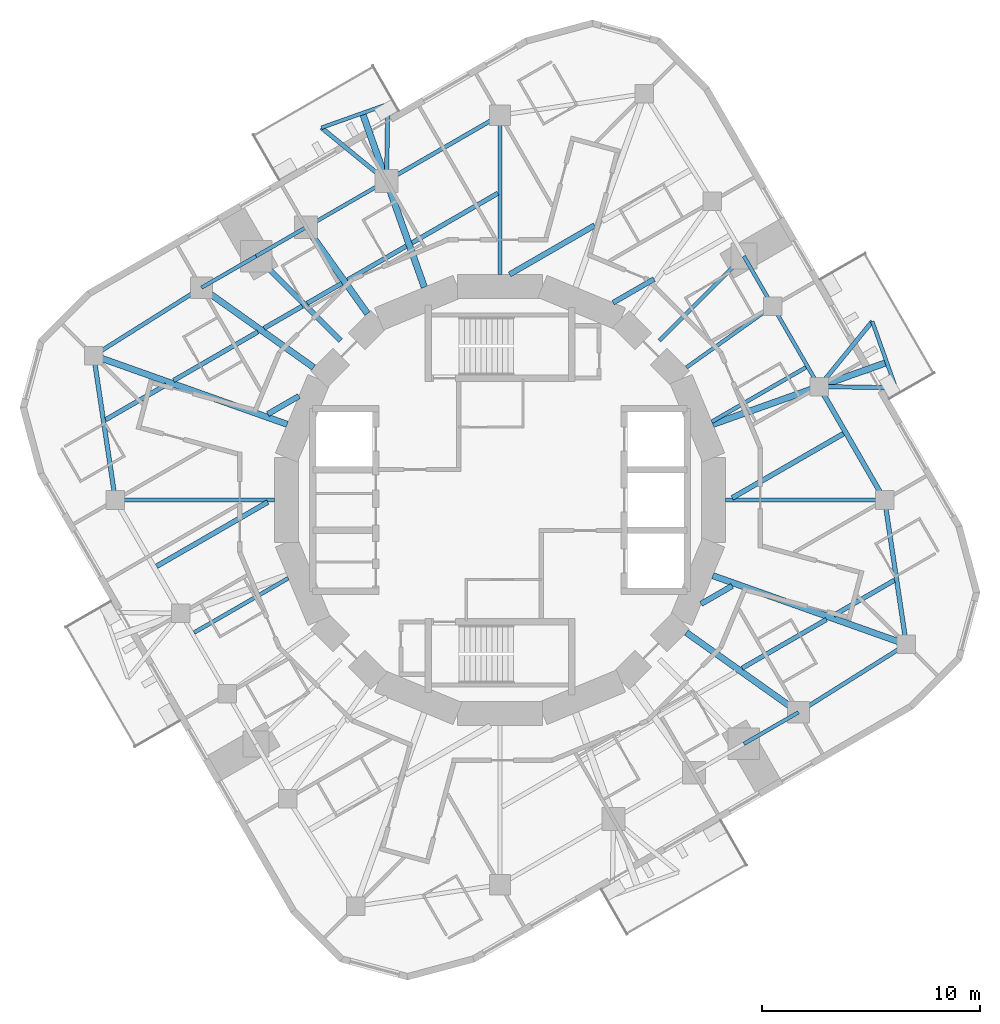
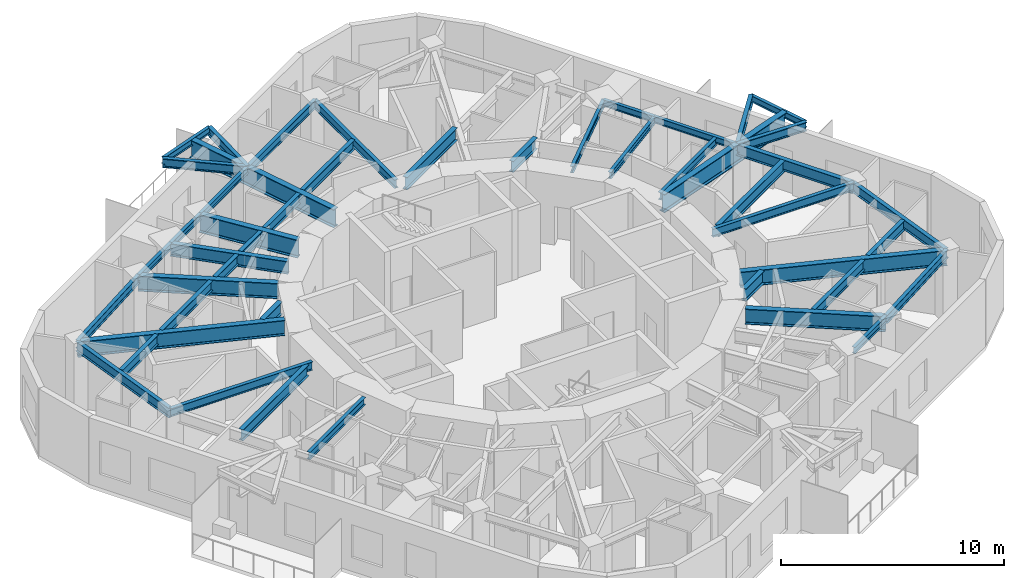
# One storey, part 2 of 11: 47 beams.
"""IFC4 building model written with IfcOpenShell, lengths in metres."""

from ifc_helpers import new_model, si_unit, direction, frame, origin, origin_2d, place, context, subcontext, project, spatial, i_section, extrude, material, material_profile, profile_set, type_object, element, save


model = new_model("IFC4")

# Units and contexts
model_context = context("Model", 3, precision=1e-05, world=origin(), true_north=direction((0.0, 1.0)))
body_context = subcontext(model_context, "Body", "Model", "MODEL_VIEW")
ifc_project = project(units=[si_unit("LENGTHUNIT", "METRE"), si_unit("AREAUNIT", "SQUARE_METRE"), si_unit("VOLUMEUNIT", "CUBIC_METRE"), si_unit("PLANEANGLEUNIT", "RADIAN"), si_unit("MASSUNIT", "GRAM", prefix="KILO")], contexts=[model_context])

# Site, building, storey
site_placement = place(None, origin())
site = spatial("IfcSite", under=ifc_project, at=site_placement, CompositionType="ELEMENT")
building_placement = place(site_placement, origin())
building = spatial("IfcBuilding", under=site, at=building_placement, Name="Nakasero Lantern House", CompositionType="ELEMENT")
storey_placement = place(building_placement, frame((0.0, 0.0, 250.050048828125)))
storey = spatial("IfcBuildingStorey", under=building, at=storey_placement, Name="L61", CompositionType="ELEMENT", Elevation=250.050048828125)

# Beams
ifc_material_1 = material(Name="Steel S355", Category="steel")
ifc_material_profile_1 = material_profile(ifc_material_1, i_section(OverallWidth=0.199462890625, OverallDepth=0.491943359375, WebThickness=0.01806640625, FlangeThickness=0.031982421875, FilletRadius=0.01025390625, at=origin_2d()), Name="UB 457x191x161")
ifc_profile_set_1 = profile_set([ifc_material_profile_1], Name="Steel S355")
beam_type_1 = type_object("IfcBeamType", Name="Balcony splay beam UB 457x191x161", PredefinedType="BEAM", material=ifc_profile_set_1)
beam_1_placement = place(storey_placement, frame((14.657958984375, 5.211669921875, 3.404052734375), z_axis=(0.632127727159, 0.774864205236, 0.0), x_axis=(-0.774864205236, 0.632127727159, 0.0)))
element("IfcBeam", 1, at=beam_1_placement, inside=storey, type_object=beam_type_1, Name="Balcony splay beam L62 B6-C04A", PredefinedType="BEAM", context=body_context, shape_type="SweptSolid", body=[
    extrude(i_section(OverallWidth=0.199462890625, OverallDepth=0.491943359375, WebThickness=0.01806640625, FlangeThickness=0.031982421875, FilletRadius=0.01025390625, at=origin_2d()), origin(), (0.0, 0.0, 1.0), 3.858642578125),
])
beam_2_placement = place(storey_placement, frame((14.657958984375, 5.211669921875, 3.404052734375), z_axis=(0.99985827803, -0.016835196893, 0.0), x_axis=(0.016835196893, 0.99985827803, 0.0)))
element("IfcBeam", 2, at=beam_2_placement, inside=storey, type_object=beam_type_1, Name="Balcony splay beam L62 B6-C04B", PredefinedType="BEAM", context=body_context, shape_type="SweptSolid", body=[
    extrude(i_section(OverallWidth=0.199462890625, OverallDepth=0.491943359375, WebThickness=0.01806640625, FlangeThickness=0.031982421875, FilletRadius=0.01025390625, at=origin_2d()), origin(), (0.0, 0.0, 1.0), 3.52392578125),
])
beam_3_placement = place(storey_placement, frame((-5.211669921875, 14.657958984375, 3.404052734375), z_axis=(-0.774864205236, 0.632127727159, 0.0), x_axis=(-0.632127727159, -0.774864205236, 0.0)))
element("IfcBeam", 3, at=beam_3_placement, inside=storey, type_object=beam_type_1, Name="Balcony splay beam L62 B6-C10A", PredefinedType="BEAM", context=body_context, shape_type="SweptSolid", body=[
    extrude(i_section(OverallWidth=0.199462890625, OverallDepth=0.491943359375, WebThickness=0.01806640625, FlangeThickness=0.031982421875, FilletRadius=0.01025390625, at=origin_2d()), origin(), (0.0, 0.0, 1.0), 3.858642578125),
])
beam_4_placement = place(storey_placement, frame((-5.211669921875, 14.657958984375, 3.404052734375), z_axis=(0.016835196893, 0.99985827803, 0.0), x_axis=(-0.99985827803, 0.016835196893, 0.0)))
element("IfcBeam", 4, at=beam_4_placement, inside=storey, type_object=beam_type_1, Name="Balcony splay beam L62 B6-C10B", PredefinedType="BEAM", context=body_context, shape_type="SweptSolid", body=[
    extrude(i_section(OverallWidth=0.199462890625, OverallDepth=0.491943359375, WebThickness=0.01806640625, FlangeThickness=0.031982421875, FilletRadius=0.01025390625, at=origin_2d()), origin(), (0.0, 0.0, 1.0), 3.52392578125),
])
ifc_material_2 = material(Name="Steel S355", Category="steel")
ifc_material_profile_2 = material_profile(ifc_material_2, i_section(OverallWidth=0.17138671875, OverallDepth=0.35498046875, WebThickness=0.00732421875, FlangeThickness=0.011474609375, FilletRadius=0.01025390625, at=origin_2d()), Name="UB 356x171x51")
ifc_profile_set_2 = profile_set([ifc_material_profile_2], Name="Steel S355")
beam_type_2 = type_object("IfcBeamType", Name="Balcony tie beam UB 356x171x51", PredefinedType="BEAM", material=ifc_profile_set_2)
for number, where, z_axis, x_axis, name in (
    (5, (17.09716796875, 8.20166015625, 3.472412109375), (0.335017108852, -0.942212044487, 0.0), (0.942212044487, 0.335017108852, 0.0), "Balcony tie beam L62 B6-C04"),
    (6, (-8.20166015625, 17.09716796875, 3.472412109375), (0.942212044487, 0.335017108852, 0.0), (-0.335017108852, 0.942212044487, 0.0), "Balcony tie beam L62 B6-C10"),
):
    element("IfcBeam", number, at=place(storey_placement, frame(where, z_axis=z_axis, x_axis=x_axis)), inside=storey, type_object=beam_type_2, Name=name, PredefinedType="BEAM", context=body_context, shape_type="SweptSolid", body=[
        extrude(i_section(OverallWidth=0.17138671875, OverallDepth=0.35498046875, WebThickness=0.00732421875, FlangeThickness=0.011474609375, FilletRadius=0.01025390625, at=origin_2d()), origin(), (0.0, 0.0, 1.0), 3.236328125),
    ])
ifc_material_3 = material(Name="Steel S355", Category="steel")
ifc_material_profile_3 = material_profile(ifc_material_3, i_section(OverallWidth=0.177978515625, OverallDepth=0.406494140625, WebThickness=0.0078125, FlangeThickness=0.0126953125, FilletRadius=0.01025390625, at=origin_2d()), Name="UB 406x178x60")
ifc_profile_set_3 = profile_set([ifc_material_profile_3], Name="Steel S355")
beam_type_3 = type_object("IfcBeamType", Name="Infill beam UB 406x178x60", PredefinedType="JOIST", material=ifc_profile_set_3)
for number, where, z_axis, x_axis, name in (
    (7, (9.72314453125, 3.5927734375, 3.44677734375), (0.866018808352, 0.500011423449, 0.0), (-0.500011423449, 0.866018808352, 0.0), "Infill beam L62 06.1"),
    (8, (-14.051025390625, -6.091552734375, 3.44677734375), (0.866018808352, 0.500011423449, 0.0), (-0.500011423449, 0.866018808352, 0.0), "Infill beam L62 07.1"),
):
    element("IfcBeam", number, at=place(storey_placement, frame(where, z_axis=z_axis, x_axis=x_axis)), inside=storey, type_object=beam_type_3, Name=name, PredefinedType="JOIST", context=body_context, shape_type="SweptSolid", body=[
        extrude(i_section(OverallWidth=0.177978515625, OverallDepth=0.406494140625, WebThickness=0.0078125, FlangeThickness=0.0126953125, FilletRadius=0.01025390625, at=origin_2d()), origin(), (0.0, 0.0, 1.0), 4.99755859375),
    ])
ifc_material_4 = material(Name="Steel S355", Category="steel")
ifc_material_profile_4 = material_profile(ifc_material_4, i_section(OverallWidth=0.2099609375, OverallDepth=0.53662109375, WebThickness=0.0107421875, FlangeThickness=0.017333984375, FilletRadius=0.0126953125, at=origin_2d()), Name="UB 533x210x101")
ifc_profile_set_4 = profile_set([ifc_material_profile_4], Name="Steel S355")
beam_type_4 = type_object("IfcBeamType", Name="Infill beam UB 533x210x101", PredefinedType="JOIST", material=ifc_profile_set_4)
beam_5_placement = place(storey_placement, frame((11.117431640625, -7.726318359375, 3.381591796875), z_axis=(0.866033989219, 0.499985129296, 0.0), x_axis=(-0.499985129296, 0.866033989219, 0.0)))
element("IfcBeam", 9, at=beam_5_placement, inside=storey, type_object=beam_type_4, Name="Infill beam L62 03.5", PredefinedType="JOIST", context=body_context, shape_type="SweptSolid", body=[
    extrude(i_section(OverallWidth=0.2099609375, OverallDepth=0.53662109375, WebThickness=0.0107421875, FlangeThickness=0.017333984375, FilletRadius=0.0126953125, at=origin_2d()), origin(), (0.0, 0.0, 1.0), 4.478759765625),
])
for number, where, z_axis, x_axis, name in (
    (10, (15.32861328125, -5.294921875, 3.381591796875), (0.866033858845, 0.49998535512, 0.0), (-0.49998535512, 0.866033858845, 0.0), "Infill beam L62 03.6"),
    (11, (-18.11328125, 3.687255859375, 3.381591796875), (0.866033858845, 0.49998535512, 0.0), (-0.49998535512, 0.866033858845, 0.0), "Infill beam L62 10.1"),
):
    element("IfcBeam", number, at=place(storey_placement, frame(where, z_axis=z_axis, x_axis=x_axis)), inside=storey, type_object=beam_type_4, Name=name, PredefinedType="JOIST", context=body_context, shape_type="SweptSolid", body=[
        extrude(i_section(OverallWidth=0.2099609375, OverallDepth=0.53662109375, WebThickness=0.0107421875, FlangeThickness=0.017333984375, FilletRadius=0.0126953125, at=origin_2d()), origin(), (0.0, 0.0, 1.0), 3.21533203125),
    ])
beam_6_placement = place(storey_placement, frame((-14.99609375, 5.487060546875, 3.381591796875), z_axis=(0.866033989219, 0.499985129296, 0.0), x_axis=(-0.499985129296, 0.866033989219, 0.0)))
element("IfcBeam", 12, at=beam_6_placement, inside=storey, type_object=beam_type_4, Name="Infill beam L62 10.2", PredefinedType="JOIST", context=body_context, shape_type="SweptSolid", body=[
    extrude(i_section(OverallWidth=0.2099609375, OverallDepth=0.53662109375, WebThickness=0.0107421875, FlangeThickness=0.017333984375, FilletRadius=0.0126953125, at=origin_2d()), origin(), (0.0, 0.0, 1.0), 4.478759765625),
])
beam_7_placement = place(storey_placement, frame((-10.839111328125, 7.88720703125, 3.381591796875), z_axis=(0.866057323903, 0.499944708657, 0.0), x_axis=(-0.499944708657, 0.866057323903, 0.0)))
element("IfcBeam", 13, at=beam_7_placement, inside=storey, type_object=beam_type_4, Name="Infill beam L62 10.3", PredefinedType="JOIST", context=body_context, shape_type="SweptSolid", body=[
    extrude(i_section(OverallWidth=0.2099609375, OverallDepth=0.53662109375, WebThickness=0.0107421875, FlangeThickness=0.017333984375, FilletRadius=0.0126953125, at=origin_2d()), origin(), (0.0, 0.0, 1.0), 2.028564453125),
])
beam_8_placement = place(storey_placement, frame((-8.85302734375, 9.033935546875, 3.381591796875), z_axis=(0.866068339032, 0.499925626596, 0.0), x_axis=(-0.499925626596, 0.866068339032, 0.0)))
element("IfcBeam", 14, at=beam_8_placement, inside=storey, type_object=beam_type_4, Name="Infill beam L62 10.4", PredefinedType="JOIST", context=body_context, shape_type="SweptSolid", body=[
    extrude(i_section(OverallWidth=0.2099609375, OverallDepth=0.53662109375, WebThickness=0.0107421875, FlangeThickness=0.017333984375, FilletRadius=0.0126953125, at=origin_2d()), origin(), (0.0, 0.0, 1.0), 1.837646484375),
])
beam_9_placement = place(storey_placement, frame((-7.00048828125, 10.103271484375, 3.381591796875), z_axis=(0.866009247561, 0.500027982357, 0.0), x_axis=(-0.500027982357, 0.866009247561, 0.0)))
element("IfcBeam", 15, at=beam_9_placement, inside=storey, type_object=beam_type_4, Name="Infill beam L62 10.5", PredefinedType="JOIST", context=body_context, shape_type="SweptSolid", body=[
    extrude(i_section(OverallWidth=0.2099609375, OverallDepth=0.53662109375, WebThickness=0.0107421875, FlangeThickness=0.017333984375, FilletRadius=0.0126953125, at=origin_2d()), origin(), (0.0, 0.0, 1.0), 3.112548828125),
])
beam_10_placement = place(storey_placement, frame((-4.040771484375, 11.812255859375, 3.381591796875), z_axis=(0.866034756103, 0.499983800959, 0.0), x_axis=(-0.499983800959, 0.866034756103, 0.0)))
element("IfcBeam", 16, at=beam_10_placement, inside=storey, type_object=beam_type_4, Name="Infill beam L62 10.6", PredefinedType="JOIST", context=body_context, shape_type="SweptSolid", body=[
    extrude(i_section(OverallWidth=0.2099609375, OverallDepth=0.53662109375, WebThickness=0.0107421875, FlangeThickness=0.017333984375, FilletRadius=0.0126953125, at=origin_2d()), origin(), (0.0, 0.0, 1.0), 4.555419921875),
])
ifc_material_5 = material(Name="Steel S355", Category="steel")
ifc_material_profile_5 = material_profile(ifc_material_5, i_section(OverallWidth=0.22900390625, OverallDepth=0.6123046875, WebThickness=0.011962890625, FlangeThickness=0.01953125, FilletRadius=0.0126953125, at=origin_2d()), Name="UB 610x229x125")
ifc_profile_set_5 = profile_set([ifc_material_profile_5], Name="Steel S355")
beam_type_5 = type_object("IfcBeamType", Name="Infill beam UB 610x229x125", PredefinedType="JOIST", material=ifc_profile_set_5)
for number, where, z_axis, x_axis, name in (
    (17, (10.66455078125, 0.094970703125, 3.34375), (0.866025091885, 0.500000540226, 0.0), (-0.500000540226, 0.866025091885, 0.0), "Infill beam L62 05.3"),
    (18, (-15.776123046875, -3.046142578125, 3.34375), (0.866025091885, 0.500000540226, 0.0), (-0.500000540226, 0.866025091885, 0.0), "Infill beam L62 08.1"),
):
    element("IfcBeam", number, at=place(storey_placement, frame(where, z_axis=z_axis, x_axis=x_axis)), inside=storey, type_object=beam_type_5, Name=name, PredefinedType="JOIST", context=body_context, shape_type="SweptSolid", body=[
        extrude(i_section(OverallWidth=0.22900390625, OverallDepth=0.6123046875, WebThickness=0.011962890625, FlangeThickness=0.01953125, FilletRadius=0.0126953125, at=origin_2d()), origin(), (0.0, 0.0, 1.0), 5.90234375),
    ])
beam_11_placement = place(storey_placement, frame((5.19287109375, 9.060302734375, 3.34375), z_axis=(0.866043427695, 0.499968780372, 0.0), x_axis=(-0.499968780372, 0.866043427695, 0.0)))
element("IfcBeam", 19, at=beam_11_placement, inside=storey, type_object=beam_type_5, Name="Infill beam L62 08.2", PredefinedType="JOIST", context=body_context, shape_type="SweptSolid", body=[
    extrude(i_section(OverallWidth=0.22900390625, OverallDepth=0.6123046875, WebThickness=0.011962890625, FlangeThickness=0.01953125, FilletRadius=0.0126953125, at=origin_2d()), origin(), (0.0, 0.0, 1.0), 2.173583984375),
])
ifc_material_6 = material(Name="Steel S355", Category="steel")
ifc_material_profile_6 = material_profile(ifc_material_6, i_section(OverallWidth=0.253662109375, OverallDepth=0.68359375, WebThickness=0.012451171875, FlangeThickness=0.01904296875, FilletRadius=0.01513671875, at=origin_2d()), Name="UB 686x254x140")
ifc_profile_set_6 = profile_set([ifc_material_profile_6], Name="Steel S355")
beam_type_6 = type_object("IfcBeamType", Name="Infill beam UB 686x254x140", PredefinedType="JOIST", material=ifc_profile_set_6)
for number, where, z_axis, x_axis, name in (
    (20, (9.234619140625, -4.77197265625, 3.30810546875), (0.866050114754, 0.499957196903, 0.0), (-0.499957196903, 0.866050114754, 0.0), "Infill beam L62 04.3"),
    (21, (-10.6640625, 3.94677734375, 3.30810546875), (0.866050114754, 0.499957196903, 0.0), (-0.499957196903, 0.866050114754, 0.0), "Infill beam L62 09.1"),
):
    element("IfcBeam", number, at=place(storey_placement, frame(where, z_axis=z_axis, x_axis=x_axis)), inside=storey, type_object=beam_type_6, Name=name, PredefinedType="JOIST", context=body_context, shape_type="SweptSolid", body=[
        extrude(i_section(OverallWidth=0.253662109375, OverallDepth=0.68359375, WebThickness=0.012451171875, FlangeThickness=0.01904296875, FilletRadius=0.01513671875, at=origin_2d()), origin(), (0.0, 0.0, 1.0), 1.650634765625),
    ])
beam_12_placement = place(storey_placement, frame((0.4404296875, 10.35791015625, 3.30810546875), z_axis=(0.866030378168, 0.499991384017, 0.0), x_axis=(-0.499991384017, 0.866030378168, 0.0)))
element("IfcBeam", 22, at=beam_12_placement, inside=storey, type_object=beam_type_6, Name="Infill beam L62 09.2", PredefinedType="JOIST", context=body_context, shape_type="SweptSolid", body=[
    extrude(i_section(OverallWidth=0.253662109375, OverallDepth=0.68359375, WebThickness=0.012451171875, FlangeThickness=0.01904296875, FilletRadius=0.01513671875, at=origin_2d()), origin(), (0.0, 0.0, 1.0), 4.50537109375),
])
ifc_material_7 = material(Name="Steel S355", Category="steel")
ifc_material_profile_7 = material_profile(ifc_material_7, i_section(OverallWidth=0.300048828125, OverallDepth=0.989990234375, WebThickness=0.0166015625, FlangeThickness=0.031005859375, FilletRadius=0.030029296875, at=origin_2d()), Name="UB 1016x305x272")
ifc_profile_set_7 = profile_set([ifc_material_profile_7], Name="Steel S355")
beam_type_7 = type_object("IfcBeamType", Name="Primary beam UB 1016x305x272, span to 6 m", PredefinedType="BEAM", material=ifc_profile_set_7)
beam_13_placement = place(storey_placement, frame((-8.906494140625, 12.524658203125, 3.15478515625), z_axis=(0.579513415446, -0.814962699342, 0.0), x_axis=(0.814962699342, 0.579513415446, 0.0)))
element("IfcBeam", 23, at=beam_13_placement, inside=storey, type_object=beam_type_7, Name="Primary beam L62 B6-C11", PredefinedType="BEAM", context=body_context, shape_type="SweptSolid", body=[
    extrude(i_section(OverallWidth=0.300048828125, OverallDepth=0.989990234375, WebThickness=0.0166015625, FlangeThickness=0.031005859375, FilletRadius=0.030029296875, at=origin_2d()), origin(), (0.0, 0.0, 1.0), 4.8642578125),
])
ifc_material_8 = material(Name="Steel S355", Category="steel")
ifc_material_profile_8 = material_profile(ifc_material_8, i_section(OverallWidth=0.300048828125, OverallDepth=1.0, WebThickness=0.01904296875, FlangeThickness=0.035888671875, FilletRadius=0.030029296875, at=origin_2d()), Name="UB 1016x305x314")
ifc_profile_set_8 = profile_set([ifc_material_profile_8], Name="Steel S355")
beam_type_8 = type_object("IfcBeamType", Name="Primary beam UB 1016x305x314, span to 6 m", PredefinedType="BEAM", material=ifc_profile_set_8)
beam_14_placement = place(storey_placement, frame((-6.317138671875, 17.767333984375, 3.14990234375), z_axis=(0.33498185503, -0.94222457875, 0.0), x_axis=(0.94222457875, 0.33498185503, 0.0)))
element("IfcBeam", 24, at=beam_14_placement, inside=storey, type_object=beam_type_8, Name="Primary beam L62 B6-C10", PredefinedType="BEAM", context=body_context, shape_type="SweptSolid", body=[
    extrude(i_section(OverallWidth=0.300048828125, OverallDepth=1.0, WebThickness=0.01904296875, FlangeThickness=0.035888671875, FilletRadius=0.030029296875, at=origin_2d()), origin(), (0.0, 0.0, 1.0), 8.485595703125),
])
ifc_material_9 = material(Name="Steel S355", Category="steel")
ifc_material_profile_9 = material_profile(ifc_material_9, i_section(OverallWidth=0.302001953125, OverallDepth=1.008056640625, WebThickness=0.02099609375, FlangeThickness=0.0400390625, FilletRadius=0.030029296875, at=origin_2d()), Name="UB 1016x305x349")
ifc_profile_set_9 = profile_set([ifc_material_profile_9], Name="Steel S355")
beam_type_9 = type_object("IfcBeamType", Name="Primary beam UB 1016x305x349, span to 6 m", PredefinedType="BEAM", material=ifc_profile_set_9)
beam_15_placement = place(storey_placement, frame((17.767333984375, 6.317138671875, 3.14599609375), z_axis=(-0.94222457875, -0.33498185503, 0.0), x_axis=(0.33498185503, -0.94222457875, 0.0)))
element("IfcBeam", 25, at=beam_15_placement, inside=storey, type_object=beam_type_9, Name="Primary beam L62 B6-C04", PredefinedType="BEAM", context=body_context, shape_type="SweptSolid", body=[
    extrude(i_section(OverallWidth=0.302001953125, OverallDepth=1.008056640625, WebThickness=0.02099609375, FlangeThickness=0.0400390625, FilletRadius=0.030029296875, at=origin_2d()), origin(), (0.0, 0.0, 1.0), 8.485595703125),
])
ifc_material_10 = material(Name="Steel S355", Category="steel")
ifc_material_profile_10 = material_profile(ifc_material_10, i_section(OverallWidth=0.17138671875, OverallDepth=0.35498046875, WebThickness=0.00732421875, FlangeThickness=0.011474609375, FilletRadius=0.01025390625, at=origin_2d()), Name="UB 356x171x51")
ifc_profile_set_10 = profile_set([ifc_material_profile_10], Name="Steel S355")
beam_type_10 = type_object("IfcBeamType", Name="Primary beam UB 356x171x51, span to 6 m", PredefinedType="BEAM", material=ifc_profile_set_10)
beam_16_placement = place(storey_placement, frame((12.524658203125, 8.906494140625, 3.472412109375), z_axis=(-0.814962699342, -0.579513415446, 0.0), x_axis=(0.579513415446, -0.814962699342, 0.0)))
element("IfcBeam", 26, at=beam_16_placement, inside=storey, type_object=beam_type_10, Name="Primary beam L62 B6-C05", PredefinedType="BEAM", context=body_context, shape_type="SweptSolid", body=[
    extrude(i_section(OverallWidth=0.17138671875, OverallDepth=0.35498046875, WebThickness=0.00732421875, FlangeThickness=0.011474609375, FilletRadius=0.01025390625, at=origin_2d()), origin(), (0.0, 0.0, 1.0), 4.8642578125),
])
beam_17_placement = place(storey_placement, frame((11.200439453125, 11.200439453125, 3.472412109375), z_axis=(-0.707106781187, -0.707106781187, 0.0), x_axis=(0.707106781187, -0.707106781187, 0.0)))
element("IfcBeam", 27, at=beam_17_placement, inside=storey, type_object=beam_type_10, Name="Primary beam L62 B6-C06", PredefinedType="BEAM", context=body_context, shape_type="SweptSolid", body=[
    extrude(i_section(OverallWidth=0.17138671875, OverallDepth=0.35498046875, WebThickness=0.00732421875, FlangeThickness=0.011474609375, FilletRadius=0.01025390625, at=origin_2d()), origin(), (0.0, 0.0, 1.0), 5.481689453125),
])
ifc_material_11 = material(Name="Steel S355", Category="steel")
ifc_material_profile_11 = material_profile(ifc_material_11, i_section(OverallWidth=0.18994140625, OverallDepth=0.453369140625, WebThickness=0.008544921875, FlangeThickness=0.0126953125, FilletRadius=0.01025390625, at=origin_2d()), Name="UB 457x191x67")
ifc_profile_set_11 = profile_set([ifc_material_profile_11], Name="Steel S355")
beam_type_11 = type_object("IfcBeamType", Name="Primary beam UB 457x191x67, span 6 to 9 m", PredefinedType="BEAM", material=ifc_profile_set_11)
for number, where, z_axis, x_axis, name in (
    (28, (17.6669921875, 0.0, 3.42333984375), (-1.0, 0.0, 0.0), (0.0, -1.0, 0.0), "Primary beam L62 B6-C03"),
    (29, (-17.6669921875, 0.0, 3.42333984375), (1.0, 0.0, 0.0), (0.0, 1.0, 0.0), "Primary beam L62 B6-C15"),
):
    element("IfcBeam", number, at=place(storey_placement, frame(where, z_axis=z_axis, x_axis=x_axis)), inside=storey, type_object=beam_type_11, Name=name, PredefinedType="BEAM", context=body_context, shape_type="SweptSolid", body=[
        extrude(i_section(OverallWidth=0.18994140625, OverallDepth=0.453369140625, WebThickness=0.008544921875, FlangeThickness=0.0126953125, FilletRadius=0.01025390625, at=origin_2d()), origin(), (0.0, 0.0, 1.0), 7.30908203125),
    ])
ifc_material_12 = material(Name="Steel S355", Category="steel")
ifc_material_profile_12 = material_profile(ifc_material_12, i_section(OverallWidth=0.19140625, OverallDepth=0.4599609375, WebThickness=0.010009765625, FlangeThickness=0.01611328125, FilletRadius=0.01025390625, at=origin_2d()), Name="UB 457x191x82")
ifc_profile_set_12 = profile_set([ifc_material_profile_12], Name="Steel S355")
beam_type_12 = type_object("IfcBeamType", Name="Primary beam UB 457x191x82, span 6 to 9 m", PredefinedType="BEAM", material=ifc_profile_set_12)
beam_18_placement = place(storey_placement, frame((0.0, 17.6669921875, 3.419921875), z_axis=(0.0, -1.0, 0.0), x_axis=(1.0, 0.0, 0.0)))
element("IfcBeam", 30, at=beam_18_placement, inside=storey, type_object=beam_type_12, Name="Primary beam L62 B6-C09", PredefinedType="BEAM", context=body_context, shape_type="SweptSolid", body=[
    extrude(i_section(OverallWidth=0.19140625, OverallDepth=0.4599609375, WebThickness=0.010009765625, FlangeThickness=0.01611328125, FilletRadius=0.01025390625, at=origin_2d()), origin(), (0.0, 0.0, 1.0), 7.30908203125),
])
ifc_material_13 = material(Name="Steel S355", Category="steel")
ifc_material_profile_13 = material_profile(ifc_material_13, i_section(OverallWidth=0.255859375, OverallDepth=0.69287109375, WebThickness=0.014404296875, FlangeThickness=0.023681640625, FilletRadius=0.01513671875, at=origin_2d()), Name="UB 686x254x170")
ifc_profile_set_13 = profile_set([ifc_material_profile_13], Name="Steel S355")
beam_type_13 = type_object("IfcBeamType", Name="Primary beam UB 686x254x170, span to 6 m", PredefinedType="BEAM", material=ifc_profile_set_13)
beam_19_placement = place(storey_placement, frame((-11.200439453125, 11.200439453125, 3.303466796875), z_axis=(0.707106781187, -0.707106781187, 0.0), x_axis=(0.707106781187, 0.707106781187, 0.0)))
element("IfcBeam", 31, at=beam_19_placement, inside=storey, type_object=beam_type_13, Name="Primary beam L62 B6-C12", PredefinedType="BEAM", context=body_context, shape_type="SweptSolid", body=[
    extrude(i_section(OverallWidth=0.255859375, OverallDepth=0.69287109375, WebThickness=0.014404296875, FlangeThickness=0.023681640625, FilletRadius=0.01513671875, at=origin_2d()), origin(), (0.0, 0.0, 1.0), 5.481689453125),
])
ifc_material_14 = material(Name="Steel S355", Category="steel")
ifc_material_profile_14 = material_profile(ifc_material_14, i_section(OverallWidth=0.29248046875, OverallDepth=0.8408203125, WebThickness=0.0146484375, FlangeThickness=0.02685546875, FilletRadius=0.017822265625, at=origin_2d()), Name="UB 838x292x194")
ifc_profile_set_14 = profile_set([ifc_material_profile_14], Name="Steel S355")
beam_type_14 = type_object("IfcBeamType", Name="Primary beam UB 838x292x194, span 6 to 9 m", PredefinedType="BEAM", material=ifc_profile_set_14)
for number, where, z_axis, x_axis, name in (
    (32, (13.711669921875, -9.75048828125, 3.2294921875), (-0.814968702178, 0.579504973637, 0.0), (-0.579504973637, -0.814968702178, 0.0), "Primary beam L62 B6-C01"),
    (33, (-13.711669921875, 9.75048828125, 3.2294921875), (0.814968702178, -0.579504973637, 0.0), (0.579504973637, 0.814968702178, 0.0), "Primary beam L62 B6-C13"),
):
    element("IfcBeam", number, at=place(storey_placement, frame(where, z_axis=z_axis, x_axis=x_axis)), inside=storey, type_object=beam_type_14, Name=name, PredefinedType="BEAM", context=body_context, shape_type="SweptSolid", body=[
        extrude(i_section(OverallWidth=0.29248046875, OverallDepth=0.8408203125, WebThickness=0.0146484375, FlangeThickness=0.02685546875, FilletRadius=0.017822265625, at=origin_2d()), origin(), (0.0, 0.0, 1.0), 6.320556640625),
    ])
ifc_material_15 = material(Name="Steel S355", Category="steel")
ifc_material_profile_15 = material_profile(ifc_material_15, i_section(OverallWidth=0.29248046875, OverallDepth=0.8408203125, WebThickness=0.0146484375, FlangeThickness=0.02685546875, FilletRadius=0.017822265625, at=origin_2d()), Name="UB 838x292x194")
ifc_profile_set_15 = profile_set([ifc_material_profile_15], Name="Steel S355")
beam_type_15 = type_object("IfcBeamType", Name="Primary beam UB 838x292x194, span 9 to 12 m", PredefinedType="BEAM", material=ifc_profile_set_15)
for number, where, z_axis, x_axis, name in (
    (34, (18.661376953125, -6.63525390625, 3.2294921875), (-0.942215779364, 0.335006604588, 0.0), (-0.335006604588, -0.942215779364, 0.0), "Primary beam L62 B6-C02"),
    (35, (-18.661376953125, 6.63525390625, 3.2294921875), (0.942215779364, -0.335006604588, 0.0), (0.335006604588, 0.942215779364, 0.0), "Primary beam L62 B6-C14"),
):
    element("IfcBeam", number, at=place(storey_placement, frame(where, z_axis=z_axis, x_axis=x_axis)), inside=storey, type_object=beam_type_15, Name=name, PredefinedType="BEAM", context=body_context, shape_type="SweptSolid", body=[
        extrude(i_section(OverallWidth=0.29248046875, OverallDepth=0.8408203125, WebThickness=0.0146484375, FlangeThickness=0.02685546875, FilletRadius=0.017822265625, at=origin_2d()), origin(), (0.0, 0.0, 1.0), 9.4345703125),
    ])
ifc_material_16 = material(Name="Steel S355", Category="steel")
ifc_material_profile_16 = material_profile(ifc_material_16, i_section(OverallWidth=0.17138671875, OverallDepth=0.35498046875, WebThickness=0.00732421875, FlangeThickness=0.011474609375, FilletRadius=0.01025390625, at=origin_2d()), Name="UB 356x171x51")
ifc_profile_set_16 = profile_set([ifc_material_profile_16], Name="Steel S355")
beam_type_16 = type_object("IfcBeamType", Name="Ring beam UB 356x171x51", PredefinedType="BEAM", material=ifc_profile_set_16)
beam_20_placement = place(storey_placement, frame((14.657958984375, 5.211669921875, 3.472412109375), z_axis=(-0.500016352561, 0.866015962423, 0.0), x_axis=(-0.866015962423, -0.500016352561, 0.0)))
element("IfcBeam", 36, at=beam_20_placement, inside=storey, type_object=beam_type_16, Name="Ring beam L62 B6-C04", PredefinedType="BEAM", context=body_context, shape_type="SweptSolid", body=[
    extrude(i_section(OverallWidth=0.17138671875, OverallDepth=0.35498046875, WebThickness=0.00732421875, FlangeThickness=0.011474609375, FilletRadius=0.01025390625, at=origin_2d()), origin(), (0.0, 0.0, 1.0), 4.266357421875),
])
beam_21_placement = place(storey_placement, frame((12.524658203125, 8.906494140625, 3.472412109375), z_axis=(-0.499945861543, 0.866056658381, 0.0), x_axis=(-0.866056658381, -0.499945861543, 0.0)))
element("IfcBeam", 37, at=beam_21_placement, inside=storey, type_object=beam_type_16, Name="Ring beam L62 B6-C05", PredefinedType="BEAM", context=body_context, shape_type="SweptSolid", body=[
    extrude(i_section(OverallWidth=0.17138671875, OverallDepth=0.35498046875, WebThickness=0.00732421875, FlangeThickness=0.011474609375, FilletRadius=0.01025390625, at=origin_2d()), origin(), (0.0, 0.0, 1.0), 2.648681640625),
])
beam_22_placement = place(storey_placement, frame((-5.211669921875, 14.657958984375, 3.472412109375), z_axis=(-0.866015962423, -0.500016352561, 0.0), x_axis=(0.500016352561, -0.866015962423, 0.0)))
element("IfcBeam", 38, at=beam_22_placement, inside=storey, type_object=beam_type_16, Name="Ring beam L62 B6-C10", PredefinedType="BEAM", context=body_context, shape_type="SweptSolid", body=[
    extrude(i_section(OverallWidth=0.17138671875, OverallDepth=0.35498046875, WebThickness=0.00732421875, FlangeThickness=0.011474609375, FilletRadius=0.01025390625, at=origin_2d()), origin(), (0.0, 0.0, 1.0), 4.266357421875),
])
beam_23_placement = place(storey_placement, frame((-8.906494140625, 12.524658203125, 3.472412109375), z_axis=(-0.866056658381, -0.499945861543, 0.0), x_axis=(0.499945861543, -0.866056658381, 0.0)))
element("IfcBeam", 39, at=beam_23_placement, inside=storey, type_object=beam_type_16, Name="Ring beam L62 B6-C11", PredefinedType="BEAM", context=body_context, shape_type="SweptSolid", body=[
    extrude(i_section(OverallWidth=0.17138671875, OverallDepth=0.35498046875, WebThickness=0.00732421875, FlangeThickness=0.011474609375, FilletRadius=0.01025390625, at=origin_2d()), origin(), (0.0, 0.0, 1.0), 2.648681640625),
])
for number, where, z_axis, x_axis, name in (
    (40, (-11.200439453125, 11.200439453125, 3.472412109375), (-0.866011727401, -0.500023687443, 0.0), (0.500023687443, -0.866011727401, 0.0), "Ring beam L62 B6-C12"),
    (41, (11.200439453125, -11.200439453125, 3.472412109375), (0.866011727401, 0.500023687443, 0.0), (-0.500023687443, 0.866011727401, 0.0), "Ring beam L62 B6-C24"),
):
    element("IfcBeam", number, at=place(storey_placement, frame(where, z_axis=z_axis, x_axis=x_axis)), inside=storey, type_object=beam_type_16, Name=name, PredefinedType="BEAM", context=body_context, shape_type="SweptSolid", body=[
        extrude(i_section(OverallWidth=0.17138671875, OverallDepth=0.35498046875, WebThickness=0.00732421875, FlangeThickness=0.011474609375, FilletRadius=0.01025390625, at=origin_2d()), origin(), (0.0, 0.0, 1.0), 2.899658203125),
    ])
ifc_material_17 = material(Name="Steel S355", Category="steel")
ifc_material_profile_17 = material_profile(ifc_material_17, i_section(OverallWidth=0.18994140625, OverallDepth=0.453369140625, WebThickness=0.008544921875, FlangeThickness=0.0126953125, FilletRadius=0.01025390625, at=origin_2d()), Name="UB 457x191x67")
ifc_profile_set_17 = profile_set([ifc_material_profile_17], Name="Steel S355")
beam_type_17 = type_object("IfcBeamType", Name="Ring beam UB 457x191x67", PredefinedType="BEAM", material=ifc_profile_set_17)
beam_24_placement = place(storey_placement, frame((13.711669921875, -9.75048828125, 3.42333984375), z_axis=(0.846329027393, 0.532660471024, 0.0), x_axis=(-0.532660471024, 0.846329027393, 0.0)))
element("IfcBeam", 42, at=beam_24_placement, inside=storey, type_object=beam_type_17, Name="Ring beam L62 B6-C01", PredefinedType="BEAM", context=body_context, shape_type="SweptSolid", body=[
    extrude(i_section(OverallWidth=0.18994140625, OverallDepth=0.453369140625, WebThickness=0.008544921875, FlangeThickness=0.0126953125, FilletRadius=0.01025390625, at=origin_2d()), origin(), (0.0, 0.0, 1.0), 5.848388671875),
])
beam_25_placement = place(storey_placement, frame((0.0, 17.6669921875, 3.42333984375), z_axis=(-0.866020066889, -0.50000924366, 0.0), x_axis=(0.50000924366, -0.866020066889, 0.0)))
element("IfcBeam", 43, at=beam_25_placement, inside=storey, type_object=beam_type_17, Name="Ring beam L62 B6-C09", PredefinedType="BEAM", context=body_context, shape_type="SweptSolid", body=[
    extrude(i_section(OverallWidth=0.18994140625, OverallDepth=0.453369140625, WebThickness=0.008544921875, FlangeThickness=0.0126953125, FilletRadius=0.01025390625, at=origin_2d()), origin(), (0.0, 0.0, 1.0), 6.01806640625),
])
beam_26_placement = place(storey_placement, frame((-13.711669921875, 9.75048828125, 3.42333984375), z_axis=(-0.846329027393, -0.532660471024, 0.0), x_axis=(0.532660471024, -0.846329027393, 0.0)))
element("IfcBeam", 44, at=beam_26_placement, inside=storey, type_object=beam_type_17, Name="Ring beam L62 B6-C13", PredefinedType="BEAM", context=body_context, shape_type="SweptSolid", body=[
    extrude(i_section(OverallWidth=0.18994140625, OverallDepth=0.453369140625, WebThickness=0.008544921875, FlangeThickness=0.0126953125, FilletRadius=0.01025390625, at=origin_2d()), origin(), (0.0, 0.0, 1.0), 5.848388671875),
])
ifc_material_18 = material(Name="Steel S355", Category="steel")
ifc_material_profile_18 = material_profile(ifc_material_18, i_section(OverallWidth=0.2099609375, OverallDepth=0.53662109375, WebThickness=0.0107421875, FlangeThickness=0.017333984375, FilletRadius=0.0126953125, at=origin_2d()), Name="UB 533x210x101")
ifc_profile_set_18 = profile_set([ifc_material_profile_18], Name="Steel S355")
beam_type_18 = type_object("IfcBeamType", Name="Ring beam UB 533x210x101", PredefinedType="BEAM", material=ifc_profile_set_18)
for number, where, z_axis, x_axis, name in (
    (45, (18.661376953125, -6.63525390625, 3.381591796875), (-0.148208778253, 0.988956095107, 0.0), (-0.988956095107, -0.148208778253, 0.0), "Ring beam L62 B6-C02"),
    (46, (-18.661376953125, 6.63525390625, 3.381591796875), (0.148208778253, -0.988956095107, 0.0), (0.988956095107, 0.148208778253, 0.0), "Ring beam L62 B6-C14"),
):
    element("IfcBeam", number, at=place(storey_placement, frame(where, z_axis=z_axis, x_axis=x_axis)), inside=storey, type_object=beam_type_18, Name=name, PredefinedType="BEAM", context=body_context, shape_type="SweptSolid", body=[
        extrude(i_section(OverallWidth=0.2099609375, OverallDepth=0.53662109375, WebThickness=0.0107421875, FlangeThickness=0.017333984375, FilletRadius=0.0126953125, at=origin_2d()), origin(), (0.0, 0.0, 1.0), 6.70947265625),
    ])
ifc_material_19 = material(Name="Steel S355", Category="steel")
ifc_material_profile_19 = material_profile(ifc_material_19, i_section(OverallWidth=0.22900390625, OverallDepth=0.6123046875, WebThickness=0.011962890625, FlangeThickness=0.01953125, FilletRadius=0.0126953125, at=origin_2d()), Name="UB 610x229x125")
ifc_profile_set_19 = profile_set([ifc_material_profile_19], Name="Steel S355")
beam_type_19 = type_object("IfcBeamType", Name="Ring beam UB 610x229x125", PredefinedType="BEAM", material=ifc_profile_set_19)
beam_27_placement = place(storey_placement, frame((17.6669921875, 0.0, 3.34375), z_axis=(-0.50000924366, 0.866020066889, 0.0), x_axis=(-0.866020066889, -0.50000924366, 0.0)))
element("IfcBeam", 47, at=beam_27_placement, inside=storey, type_object=beam_type_19, Name="Ring beam L62 B6-C03", PredefinedType="BEAM", context=body_context, shape_type="SweptSolid", body=[
    extrude(i_section(OverallWidth=0.22900390625, OverallDepth=0.6123046875, WebThickness=0.011962890625, FlangeThickness=0.01953125, FilletRadius=0.0126953125, at=origin_2d()), origin(), (0.0, 0.0, 1.0), 6.01806640625),
])

save(model, "model.ifc")
